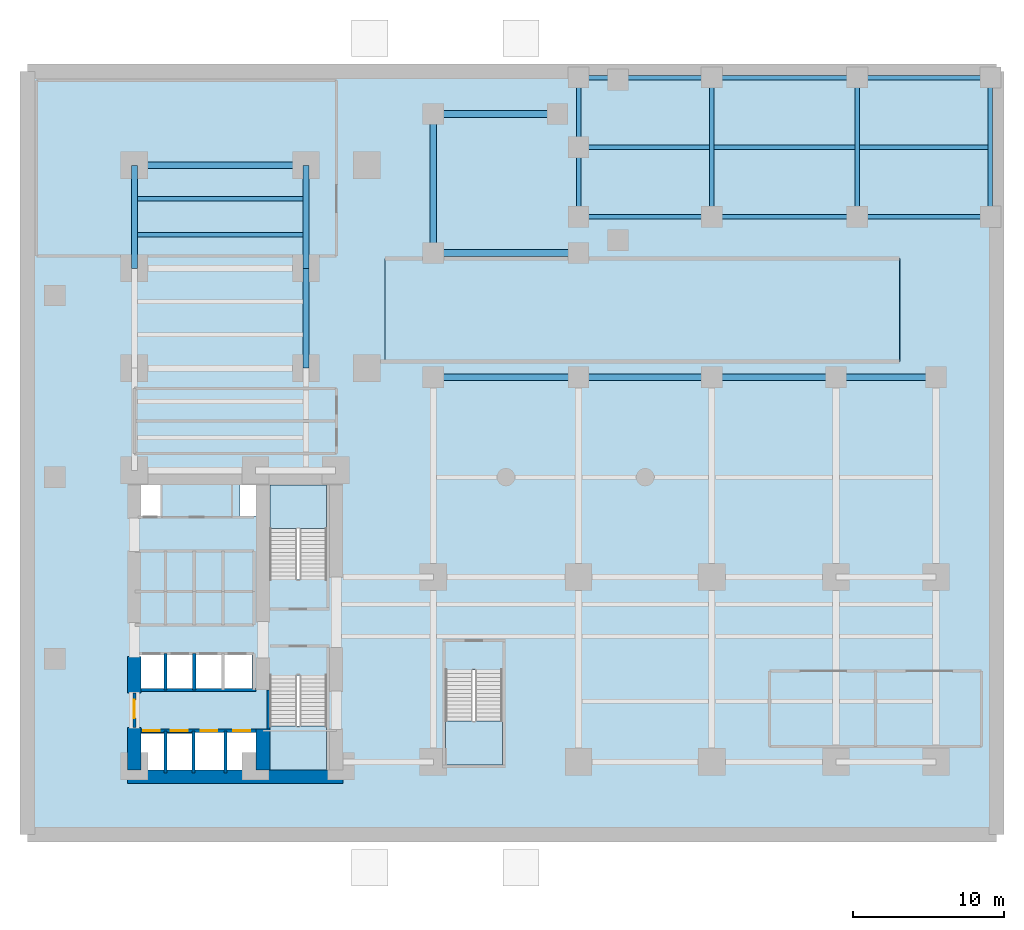
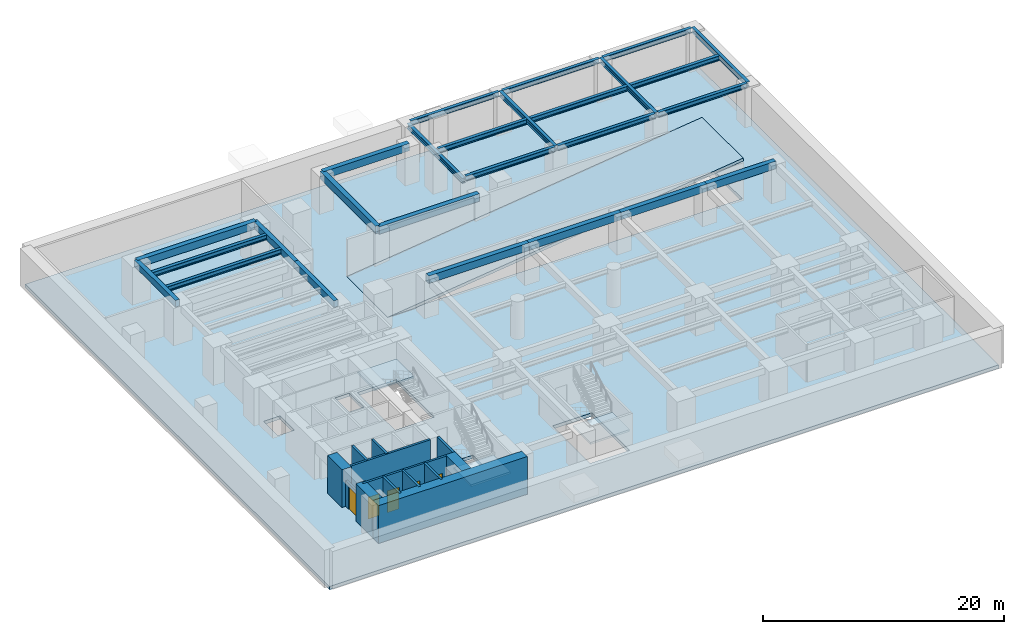
# One storey, part 2 of 5: 26 beams, 13 walls, 5 doors, 5 slabs, 5 openings, 3 elements without a shape of their own.
"""IFC4 building model written with IfcOpenShell, lengths in metres."""

from ifc_helpers import new_model, si_unit, direction, frame, frame_2d, origin, origin_2d, place, context, subcontext, project, spatial, polyline, rectangle, i_section, outline, extrude, material, layer, layer_set, material_profile, profile_set, type_object, element, fill, aggregate, save


model = new_model("IFC4")

# Units and contexts
model_context = context("Model", 3, precision=1e-05, world=origin(), true_north=direction((0.0, 1.0)))
body_context = subcontext(model_context, "Body", "Model", "MODEL_VIEW")
ifc_project = project(units=[si_unit("LENGTHUNIT", "METRE"), si_unit("AREAUNIT", "SQUARE_METRE"), si_unit("VOLUMEUNIT", "CUBIC_METRE"), si_unit("PLANEANGLEUNIT", "RADIAN"), si_unit("MASSUNIT", "GRAM", prefix="KILO")], contexts=[model_context])

# Site, building, storey
site_placement = place(None, origin())
site = spatial("IfcSite", under=ifc_project, at=site_placement, CompositionType="ELEMENT")
building_placement = place(site_placement, origin())
building = spatial("IfcBuilding", under=site, at=building_placement, Name="Kolvaren Waterfront Exchange", CompositionType="ELEMENT")
storey_placement = place(building_placement, frame((0.0, 0.0, -4.199951171875)))
storey = spatial("IfcBuildingStorey", under=building, at=storey_placement, Name="B01", CompositionType="ELEMENT", Elevation=-4.199951171875)

# Beams
ifc_material_1 = material(Name="Steel S355", Category="steel")
ifc_material_profile_1 = material_profile(ifc_material_1, i_section(OverallWidth=0.300048828125, OverallDepth=0.5, WebThickness=0.014404296875, FlangeThickness=0.028076171875, FilletRadius=0.027099609375, at=origin_2d()), Name="HEB500")
ifc_profile_set_1 = profile_set([ifc_material_profile_1], Name="Steel S355")
beam_type_1 = type_object("IfcBeamType", Name="STR-BM-HEB500", PredefinedType="BEAM", material=ifc_profile_set_1)
for number, where, z_axis, x_axis, name in (
    (1, (36.800048828125, 41.199951171875, 3.570068359375), (0.0, 1.0, 0.0), (-1.0, 0.0, 0.0), "Waterfront promenade N-S primary girder 1"),
    (2, (45.60009765625, 41.199951171875, 3.77001953125), (0.0, 1.0, 0.0), (-1.0, 0.0, 0.0), "Waterfront promenade N-S primary girder 2"),
    (3, (55.199951171875, 41.199951171875, 3.77001953125), (0.0, 1.0, 0.0), (-1.0, 0.0, 0.0), "Waterfront promenade N-S primary girder 3"),
    (4, (64.0, 41.199951171875, 3.77001953125), (0.0, 1.0, 0.0), (-1.0, 0.0, 0.0), "Waterfront promenade N-S primary girder 4"),
):
    element("IfcBeam", number, at=place(storey_placement, frame(where, z_axis=z_axis, x_axis=x_axis)), inside=storey, type_object=beam_type_1, Name=name, PredefinedType="BEAM", context=body_context, shape_type="SweptSolid", body=[
        extrude(i_section(OverallWidth=0.300048828125, OverallDepth=0.5, WebThickness=0.014404296875, FlangeThickness=0.028076171875, FilletRadius=0.027099609375, at=origin_2d()), origin(), (0.0, 0.0, 1.0), 9.199951171875),
    ])
beam_1_placement = place(storey_placement, frame((36.951904296875, 41.199951171875, 3.77001953125), z_axis=(1.0, 0.0, 0.0), x_axis=(0.0, 1.0, 0.0)))
element("IfcBeam", 5, at=beam_1_placement, inside=storey, type_object=beam_type_1, Name="Waterfront promenade E-W support beam 1", PredefinedType="BEAM", context=body_context, shape_type="SweptSolid", body=[
    extrude(i_section(OverallWidth=0.300048828125, OverallDepth=0.5, WebThickness=0.014404296875, FlangeThickness=0.028076171875, FilletRadius=0.027099609375, at=origin_2d()), origin(), (0.0, 0.0, 1.0), 8.49609375),
])
beam_2_placement = place(storey_placement, frame((45.751953125, 41.199951171875, 3.77001953125), z_axis=(1.0, 0.0, 0.0), x_axis=(0.0, 1.0, 0.0)))
element("IfcBeam", 6, at=beam_2_placement, inside=storey, type_object=beam_type_1, Name="Waterfront promenade E-W support beam 2", PredefinedType="BEAM", context=body_context, shape_type="SweptSolid", body=[
    extrude(i_section(OverallWidth=0.300048828125, OverallDepth=0.5, WebThickness=0.014404296875, FlangeThickness=0.028076171875, FilletRadius=0.027099609375, at=origin_2d()), origin(), (0.0, 0.0, 1.0), 9.296142578125),
])
beam_3_placement = place(storey_placement, frame((55.35205078125, 41.199951171875, 3.77001953125), z_axis=(1.0, 0.0, 0.0), x_axis=(0.0, 1.0, 0.0)))
element("IfcBeam", 7, at=beam_3_placement, inside=storey, type_object=beam_type_1, Name="Waterfront promenade E-W support beam 3", PredefinedType="BEAM", context=body_context, shape_type="SweptSolid", body=[
    extrude(i_section(OverallWidth=0.300048828125, OverallDepth=0.5, WebThickness=0.014404296875, FlangeThickness=0.028076171875, FilletRadius=0.027099609375, at=origin_2d()), origin(), (0.0, 0.0, 1.0), 8.495849609375),
])
beam_4_placement = place(storey_placement, frame((36.951904296875, 45.800048828125, 3.77001953125), z_axis=(1.0, 0.0, 0.0), x_axis=(0.0, 1.0, 0.0)))
element("IfcBeam", 8, at=beam_4_placement, inside=storey, type_object=beam_type_1, Name="Waterfront promenade E-W support beam 4", PredefinedType="BEAM", context=body_context, shape_type="SweptSolid", body=[
    extrude(i_section(OverallWidth=0.300048828125, OverallDepth=0.5, WebThickness=0.014404296875, FlangeThickness=0.028076171875, FilletRadius=0.027099609375, at=origin_2d()), origin(), (0.0, 0.0, 1.0), 8.49609375),
])
beam_5_placement = place(storey_placement, frame((45.751953125, 45.800048828125, 3.77001953125), z_axis=(1.0, 0.0, 0.0), x_axis=(0.0, 1.0, 0.0)))
element("IfcBeam", 9, at=beam_5_placement, inside=storey, type_object=beam_type_1, Name="Waterfront promenade E-W support beam 5", PredefinedType="BEAM", context=body_context, shape_type="SweptSolid", body=[
    extrude(i_section(OverallWidth=0.300048828125, OverallDepth=0.5, WebThickness=0.014404296875, FlangeThickness=0.028076171875, FilletRadius=0.027099609375, at=origin_2d()), origin(), (0.0, 0.0, 1.0), 9.296142578125),
])
beam_6_placement = place(storey_placement, frame((55.35205078125, 45.800048828125, 3.77001953125), z_axis=(1.0, 0.0, 0.0), x_axis=(0.0, 1.0, 0.0)))
element("IfcBeam", 10, at=beam_6_placement, inside=storey, type_object=beam_type_1, Name="Waterfront promenade E-W support beam 6", PredefinedType="BEAM", context=body_context, shape_type="SweptSolid", body=[
    extrude(i_section(OverallWidth=0.300048828125, OverallDepth=0.5, WebThickness=0.014404296875, FlangeThickness=0.028076171875, FilletRadius=0.027099609375, at=origin_2d()), origin(), (0.0, 0.0, 1.0), 8.495849609375),
])
beam_7_placement = place(storey_placement, frame((36.951904296875, 50.39990234375, 3.77001953125), z_axis=(1.0, 0.0, 0.0), x_axis=(0.0, 1.0, 0.0)))
element("IfcBeam", 11, at=beam_7_placement, inside=storey, type_object=beam_type_1, Name="Waterfront promenade E-W support beam 7", PredefinedType="BEAM", context=body_context, shape_type="SweptSolid", body=[
    extrude(i_section(OverallWidth=0.300048828125, OverallDepth=0.5, WebThickness=0.014404296875, FlangeThickness=0.028076171875, FilletRadius=0.027099609375, at=origin_2d()), origin(), (0.0, 0.0, 1.0), 8.49609375),
])
beam_8_placement = place(storey_placement, frame((45.751953125, 50.39990234375, 3.77001953125), z_axis=(1.0, 0.0, 0.0), x_axis=(0.0, 1.0, 0.0)))
element("IfcBeam", 12, at=beam_8_placement, inside=storey, type_object=beam_type_1, Name="Waterfront promenade E-W support beam 8", PredefinedType="BEAM", context=body_context, shape_type="SweptSolid", body=[
    extrude(i_section(OverallWidth=0.300048828125, OverallDepth=0.5, WebThickness=0.014404296875, FlangeThickness=0.028076171875, FilletRadius=0.027099609375, at=origin_2d()), origin(), (0.0, 0.0, 1.0), 9.296142578125),
])
beam_9_placement = place(storey_placement, frame((55.35205078125, 50.39990234375, 3.77001953125), z_axis=(1.0, 0.0, 0.0), x_axis=(0.0, 1.0, 0.0)))
element("IfcBeam", 13, at=beam_9_placement, inside=storey, type_object=beam_type_1, Name="Waterfront promenade E-W support beam 9", PredefinedType="BEAM", context=body_context, shape_type="SweptSolid", body=[
    extrude(i_section(OverallWidth=0.300048828125, OverallDepth=0.5, WebThickness=0.014404296875, FlangeThickness=0.028076171875, FilletRadius=0.027099609375, at=origin_2d()), origin(), (0.0, 0.0, 1.0), 8.495849609375),
])
for number, where, z_axis, x_axis, name in (
    (14, (7.652099609375, 40.0, 3.570068359375), (1.0, 0.0, 0.0), (0.0, 1.0, 0.0), "B01 north-arm composite joist 5"),
    (15, (7.652099609375, 42.39990234375, 3.570068359375), (1.0, 0.0, 0.0), (0.0, 1.0, 0.0), "B01 north-arm composite joist 6"),
):
    element("IfcBeam", number, at=place(storey_placement, frame(where, z_axis=z_axis, x_axis=x_axis)), inside=storey, type_object=beam_type_1, Name=name, PredefinedType="JOIST", context=body_context, shape_type="SweptSolid", body=[
        extrude(i_section(OverallWidth=0.300048828125, OverallDepth=0.5, WebThickness=0.014404296875, FlangeThickness=0.028076171875, FilletRadius=0.027099609375, at=origin_2d()), origin(), (0.0, 0.0, 1.0), 10.94580078125),
    ])
ifc_material_2 = material(Name="Concrete C40/50", Category="concrete")
ifc_material_profile_2 = material_profile(ifc_material_2, rectangle(XDim=0.39990234375, YDim=0.64990234375, at=origin_2d()), Name="RC-BM-650x400")
ifc_profile_set_2 = profile_set([ifc_material_profile_2], Name="Concrete C40/50")
beam_type_2 = type_object("IfcBeamType", Name="STR-RCBM-650", PredefinedType="SPANDREL", material=ifc_profile_set_2)
beam_10_placement = place(storey_placement, frame((7.449951171875, 37.800048828125, 3.494873046875), z_axis=(0.0, 1.0, 0.0), x_axis=(-1.0, 0.0, 0.0)))
element("IfcBeam", 16, at=beam_10_placement, inside=storey, type_object=beam_type_2, Name="B01 north-arm edge beam 3", PredefinedType="SPANDREL", context=body_context, shape_type="SweptSolid", body=[
    extrude(rectangle(XDim=0.39990234375, YDim=0.64990234375, at=origin_2d()), origin(), (0.0, 0.0, 1.0), 6.800048828125),
])
beam_11_placement = place(storey_placement, frame((18.800048828125, 31.199951171875, 3.494873046875), z_axis=(0.0, 1.0, 0.0), x_axis=(-1.0, 0.0, 0.0)))
element("IfcBeam", 17, at=beam_11_placement, inside=storey, type_object=beam_type_2, Name="B01 north-arm edge beam 2", PredefinedType="SPANDREL", context=body_context, shape_type="SweptSolid", body=[
    extrude(rectangle(XDim=0.39990234375, YDim=0.64990234375, at=origin_2d()), origin(), (0.0, 0.0, 1.0), 6.60009765625),
])
beam_12_placement = place(storey_placement, frame((18.800048828125, 37.800048828125, 3.494873046875), z_axis=(0.0, 1.0, 0.0), x_axis=(-1.0, 0.0, 0.0)))
element("IfcBeam", 18, at=beam_12_placement, inside=storey, type_object=beam_type_2, Name="B01 north-arm edge beam 3", PredefinedType="SPANDREL", context=body_context, shape_type="SweptSolid", body=[
    extrude(rectangle(XDim=0.39990234375, YDim=0.64990234375, at=origin_2d()), origin(), (0.0, 0.0, 1.0), 6.800048828125),
])
ifc_material_profile_3 = material_profile(ifc_material_2, rectangle(XDim=0.449951171875, YDim=0.75, at=origin_2d()), Name="RC-BM-750x450")
ifc_profile_set_3 = profile_set([ifc_material_profile_3], Name="Concrete C40/50")
beam_type_3 = type_object("IfcBeamType", Name="STR-RCBM-750", PredefinedType="BEAM", material=ifc_profile_set_3)
beam_13_placement = place(storey_placement, frame((7.449951171875, 44.60009765625, 3.445068359375), z_axis=(1.0, 0.0, 0.0), x_axis=(0.0, 1.0, 0.0)))
element("IfcBeam", 19, at=beam_13_placement, inside=storey, type_object=beam_type_3, Name="B01 north-arm girder 4", PredefinedType="BEAM", context=body_context, shape_type="SweptSolid", body=[
    extrude(rectangle(XDim=0.449951171875, YDim=0.75, at=origin_2d()), origin(), (0.0, 0.0, 1.0), 11.35009765625),
])
beam_14_placement = place(storey_placement, frame((27.199951171875, 30.60009765625, 3.445068359375), z_axis=(1.0, 0.0, 0.0), x_axis=(0.0, 1.0, 0.0)))
element("IfcBeam", 20, at=beam_14_placement, inside=storey, type_object=beam_type_3, Name="B01 podium longitudinal beam 1", PredefinedType="BEAM", context=body_context, shape_type="SweptSolid", body=[
    extrude(rectangle(XDim=0.449951171875, YDim=0.75, at=origin_2d()), origin(), (0.0, 0.0, 1.0), 9.60009765625),
])
beam_15_placement = place(storey_placement, frame((36.800048828125, 30.60009765625, 3.445068359375), z_axis=(1.0, 0.0, 0.0), x_axis=(0.0, 1.0, 0.0)))
element("IfcBeam", 21, at=beam_15_placement, inside=storey, type_object=beam_type_3, Name="B01 podium longitudinal beam 2", PredefinedType="BEAM", context=body_context, shape_type="SweptSolid", body=[
    extrude(rectangle(XDim=0.449951171875, YDim=0.75, at=origin_2d()), origin(), (0.0, 0.0, 1.0), 8.800048828125),
])
beam_16_placement = place(storey_placement, frame((45.60009765625, 30.60009765625, 3.445068359375), z_axis=(1.0, 0.0, 0.0), x_axis=(0.0, 1.0, 0.0)))
element("IfcBeam", 22, at=beam_16_placement, inside=storey, type_object=beam_type_3, Name="B01 podium longitudinal beam 3", PredefinedType="BEAM", context=body_context, shape_type="SweptSolid", body=[
    extrude(rectangle(XDim=0.449951171875, YDim=0.75, at=origin_2d()), origin(), (0.0, 0.0, 1.0), 8.199951171875),
])
beam_17_placement = place(storey_placement, frame((53.800048828125, 30.60009765625, 3.445068359375), z_axis=(1.0, 0.0, 0.0), x_axis=(0.0, 1.0, 0.0)))
element("IfcBeam", 23, at=beam_17_placement, inside=storey, type_object=beam_type_3, Name="B01 podium longitudinal beam 4", PredefinedType="BEAM", context=body_context, shape_type="SweptSolid", body=[
    extrude(rectangle(XDim=0.449951171875, YDim=0.75, at=origin_2d()), origin(), (0.0, 0.0, 1.0), 6.599853515625),
])
beam_18_placement = place(storey_placement, frame((27.199951171875, 38.800048828125, 3.445068359375), z_axis=(1.0, 0.0, 0.0), x_axis=(0.0, 1.0, 0.0)))
element("IfcBeam", 24, at=beam_18_placement, inside=storey, type_object=beam_type_3, Name="B01 podium north girder 1", PredefinedType="BEAM", context=body_context, shape_type="SweptSolid", body=[
    extrude(rectangle(XDim=0.449951171875, YDim=0.75, at=origin_2d()), origin(), (0.0, 0.0, 1.0), 9.60009765625),
])
beam_19_placement = place(storey_placement, frame((27.199951171875, 48.0, 3.445068359375), z_axis=(1.0, 0.0, 0.0), x_axis=(0.0, 1.0, 0.0)))
element("IfcBeam", 25, at=beam_19_placement, inside=storey, type_object=beam_type_3, Name="B01 podium north girder 2", PredefinedType="BEAM", context=body_context, shape_type="SweptSolid", body=[
    extrude(rectangle(XDim=0.449951171875, YDim=0.75, at=origin_2d()), origin(), (0.0, 0.0, 1.0), 8.199951171875),
])
beam_20_placement = place(storey_placement, frame((27.199951171875, 38.800048828125, 3.445068359375), z_axis=(0.0, 1.0, 0.0), x_axis=(-1.0, 0.0, 0.0)))
element("IfcBeam", 26, at=beam_20_placement, inside=storey, type_object=beam_type_3, Name="B01 podium west-link girder", PredefinedType="BEAM", context=body_context, shape_type="SweptSolid", body=[
    extrude(rectangle(XDim=0.449951171875, YDim=0.75, at=origin_2d()), origin(), (0.0, 0.0, 1.0), 9.199951171875),
])

# Stair, slab
stair_type = type_object("IfcStairType", Name="ARC-STAIR-4200", PredefinedType="HALF_TURN_STAIR", material=ifc_material_2)
stair_1_placement = place(storey_placement, origin())
stair_1 = element("IfcStair", 27, at=stair_1_placement, inside=storey, type_object=stair_type, Name="B01 Smoke-proof exit stair ST1", PredefinedType="HALF_TURN_STAIR")
ifc_layer_1 = layer(ifc_material_2, 0.199951171875, Name="Concrete C40/50")
ifc_layer_set_1 = layer_set([ifc_layer_1], Name="Concrete C40/50")
slab_type_1 = type_object("IfcSlabType", Name="STR-LANDING-200", PredefinedType="LANDING", material=ifc_layer_set_1)
slab_1_placement = place(storey_placement, frame((0.0, 0.0, 1.89990234375)))
slab_1 = element("IfcSlab", 28, at=slab_1_placement, type_object=slab_type_1, Name="ST1 landing 1", PredefinedType="LANDING", context=body_context, shape_type="SweptSolid", body=[
    extrude(outline(polyline([(16.39990234375, 7.550048828125), (16.39990234375, 4.64990234375), (20.159912109375, 4.64990234375), (20.159912109375, 7.550048828125), (16.39990234375, 7.550048828125)])), origin(), (0.0, 0.0, 1.0), 0.199951171875),
])
aggregate(stair_1, [slab_1])

stair_2_placement = place(storey_placement, origin())
stair_2 = element("IfcStair", 29, at=stair_2_placement, inside=storey, type_object=stair_type, Name="B01 Smoke-proof exit stair ST2", PredefinedType="HALF_TURN_STAIR")
slab_2_placement = place(storey_placement, frame((0.0, 0.0, 1.89990234375)))
slab_2 = element("IfcSlab", 30, at=slab_2_placement, type_object=slab_type_1, Name="ST2 landing 1", PredefinedType="LANDING", context=body_context, shape_type="SweptSolid", body=[
    extrude(outline(polyline([(20.159912109375, 20.60009765625), (20.159912109375, 23.5), (16.39990234375, 23.5), (16.39990234375, 20.60009765625), (20.159912109375, 20.60009765625)])), origin(), (0.0, 0.0, 1.0), 0.199951171875),
])
aggregate(stair_2, [slab_2])

stair_3_placement = place(storey_placement, origin())
stair_3 = element("IfcStair", 31, at=stair_3_placement, inside=storey, type_object=stair_type, Name="B01 Exit stair ST3", PredefinedType="HALF_TURN_STAIR")
slab_3_placement = place(storey_placement, frame((0.0, 0.0, 1.89990234375)))
slab_3 = element("IfcSlab", 32, at=slab_3_placement, type_object=slab_type_1, Name="ST3 landing 1", PredefinedType="LANDING", context=body_context, shape_type="SweptSolid", body=[
    extrude(outline(polyline([(28.0, 7.89990234375), (28.0, 5.0), (31.760009765625, 5.0), (31.760009765625, 7.89990234375), (28.0, 7.89990234375)])), origin(), (0.0, 0.0, 1.0), 0.199951171875),
])
aggregate(stair_3, [slab_3])

# Slabs
ifc_layer_2 = layer(ifc_material_2, 0.300048828125, Name="Concrete C40/50")
ifc_layer_set_2 = layer_set([ifc_layer_2], Name="Concrete C40/50")
slab_type_2 = type_object("IfcSlabType", Name="STR-RAMP-SLAB-300", PredefinedType="FLOOR", material=ifc_layer_set_2)
slab_4_placement = place(storey_placement, frame((24.0, 31.64990234375, 0.0), z_axis=(-0.122596159614, 0.0, 0.992456639682), x_axis=(0.992456639682, 0.0, 0.122596159614)))
element("IfcSlab", 33, at=slab_4_placement, inside=storey, type_object=slab_type_2, Name="B01 two-way vehicle ramp VS30 structural concrete slab", PredefinedType="FLOOR", context=body_context, shape_type="SweptSolid", body=[
    extrude(outline(polyline([(0.0, 0.0), (34.258423633409265, 0.0), (34.258423633409265, 6.800048828125), (0.0, 6.800048828125), (0.0, 0.0)])), origin(), (0.0, 0.0, -1.0), 0.300048828125),
])
ifc_layer_3 = layer(ifc_material_2, 0.340087890625, Name="Concrete C40/50")
ifc_layer_set_3 = layer_set([ifc_layer_3], Name="Concrete C40/50")
slab_type_3 = type_object("IfcSlabType", Name="STR-SLAB-340", PredefinedType="FLOOR", material=ifc_layer_set_3)
slab_5_placement = place(storey_placement, frame((0.0, 0.0, -0.340087890625)))
element("IfcSlab", 34, at=slab_5_placement, inside=storey, type_object=slab_type_3, Name="B01 structural floor slab", PredefinedType="FLOOR", context=body_context, shape_type="SweptSolid", body=[
    extrude(outline(polyline([(0.39990234375, 0.39990234375), (64.39990234375, 0.39990234375), (64.39990234375, 50.800048828125), (0.39990234375, 50.800048828125), (0.39990234375, 0.39990234375)]), holes=[polyline([(11.320068359375, 7.260009765625), (15.610107421875, 7.260009765625), (15.610107421875, 4.5400390625), (7.719970703125, 4.5400390625), (7.719970703125, 7.06005859375), (11.320068359375, 7.06005859375), (11.320068359375, 7.260009765625)]), polyline([(20.159912109375, 10.89990234375), (20.159912109375, 4.64990234375), (16.39990234375, 4.64990234375), (16.39990234375, 10.89990234375), (20.159912109375, 10.89990234375)]), polyline([(31.760009765625, 11.25), (31.760009765625, 5.0), (28.0, 5.0), (28.0, 11.25), (31.760009765625, 11.25)]), polyline([(15.2099609375, 10.0400390625), (7.6201171875, 10.0400390625), (7.6201171875, 12.360107421875), (15.2099609375, 12.360107421875), (15.2099609375, 10.0400390625)]), polyline([(16.39990234375, 17.25), (16.39990234375, 23.5), (20.159912109375, 23.5), (20.159912109375, 17.25), (16.39990234375, 17.25)]), polyline([(7.60009765625, 23.780029296875), (9.179931640625, 23.780029296875), (9.179931640625, 21.419921875), (7.60009765625, 21.419921875), (7.60009765625, 23.780029296875)]), polyline([(14.419921875, 23.780029296875), (15.800048828125, 23.780029296875), (15.800048828125, 21.419921875), (14.419921875, 21.419921875), (14.419921875, 23.780029296875)]), polyline([(24.0, 38.300048828125), (58.0, 38.300048828125), (58.0, 31.800048828125), (24.0, 31.800048828125), (24.0, 38.300048828125)])]), origin(), (0.0, 0.0, 1.0), 0.340087890625),
])

# Wall
ifc_material_3 = material(Name="Precast concrete C40/50", Category="concrete")
ifc_layer_4 = layer(ifc_material_3, 0.199951171875, Name="Precast concrete C40/50")
ifc_layer_set_4 = layer_set([ifc_layer_4], Name="Precast concrete C40/50")
wall_type_1 = type_object("IfcWallType", Name="ARC-FIRE-200", PredefinedType="PARTITIONING", material=ifc_layer_set_4)
wall_1_placement = place(storey_placement, frame((7.89990234375, 9.949951171875, 0.0), z_axis=(0.0, 0.0, 1.0), x_axis=(1.0, 0.0, 0.0)))
element("IfcWall", 35, at=wall_1_placement, inside=storey, type_object=wall_type_1, Name="B01 interior wall PW-B01-FF-N", PredefinedType="PARTITIONING", context=body_context, shape_type="SweptSolid", body=[
    extrude(rectangle(XDim=7.60009765625, YDim=0.199951171875, at=frame_2d((3.800048828125, 0.0))), origin(), (0.0, 0.0, 1.0), 3.820068359375),
])

# Wall, opening, door
wall_2_placement = place(storey_placement, frame((7.449951171875, 7.449951171875, 0.0), z_axis=(0.0, 0.0, 1.0), x_axis=(0.0, 1.0, 0.0)))
wall_2 = element("IfcWall", 36, at=wall_2_placement, inside=storey, type_object=wall_type_1, Name="B01 interior wall PW-B01-FF-W-DOOR", PredefinedType="PARTITIONING", context=body_context, shape_type="SweptSolid", body=[
    extrude(rectangle(XDim=2.300048828125, YDim=0.199951171875, at=frame_2d((1.14990234375, 0.0))), origin(), (0.0, 0.0, 1.0), 2.599853515625),
])
opening_1_placement = place(wall_2_placement, frame((0.63330078125, 0.0, 0.0)))
opening_1 = element("IfcOpeningElement", 37, at=opening_1_placement, cuts=wall_2, Name="Opening FD3", PredefinedType="OPENING", context=body_context, shape_type="SweptSolid", body=[
    extrude(rectangle(XDim=1.199951171875, YDim=2.25, at=frame_2d((0.60009765625, 1.125))), frame((0.0, 0.10986328125, 0.0), z_axis=(0.0, -1.0, 0.0), x_axis=(1.0, 0.0, 0.0)), (0.0, 0.0, 1.0), 0.219970703125),
])
ifc_material_4 = material(Name="Pressed steel fire door", Category="steel")
door_type_1 = type_object("IfcDoorType", Name="ARC-FD-1200", OperationType="NOTDEFINED", PredefinedType="DOOR", material=ifc_material_4)
door_1_placement = place(opening_1_placement, frame((1.199951171875, 0.0, 0.0), z_axis=(0.0, 0.0, 1.0), x_axis=(-1.0, 0.0, 0.0)))
door_1 = element("IfcDoor", 38, at=door_1_placement, inside=storey, type_object=door_type_1, Name="B01 door DR-B01-FF-OUT (FD3)", OperationType="SINGLE_SWING_RIGHT", OverallHeight=2.25, OverallWidth=1.199951171875, PredefinedType="DOOR", context=body_context, shape_type="SweptSolid", body=[
    extrude(rectangle(XDim=1.199951171875, YDim=2.25, at=frame_2d((0.60009765625, 1.125))), frame((0.0, 0.02490234375, 0.0), z_axis=(0.0, -1.0, 0.0), x_axis=(1.0, 0.0, 0.0)), (0.0, 0.0, 1.0), 0.050048828125),
])
fill(opening_1, door_1)

# Wall
ifc_layer_5 = layer(ifc_material_2, 0.199951171875, Name="Concrete C40/50")
ifc_layer_set_5 = layer_set([ifc_layer_5], Name="Concrete C40/50")
wall_type_2 = type_object("IfcWallType", Name="ARC-SHAFT-200", PredefinedType="PARTITIONING", material=ifc_layer_set_5)
wall_3_placement = place(storey_placement, frame((16.300048828125, 7.360107421875, 0.0), z_axis=(0.0, 0.0, 1.0), x_axis=(0.0, 1.0, 0.0)))
element("IfcWall", 39, at=wall_3_placement, inside=storey, type_object=wall_type_2, Name="B01 structural stairwell wall PW-B01-ST1-W", PredefinedType="SHEAR", context=body_context, shape_type="SweptSolid", body=[
    extrude(rectangle(XDim=2.579833984375, YDim=0.199951171875, at=frame_2d((1.2900390625, 0.0))), origin(), (0.0, 0.0, 1.0), 3.820068359375),
])

# Wall, openings, doors
wall_4_placement = place(storey_placement, frame((7.5, 7.25, 0.0), z_axis=(0.0, 0.0, 1.0), x_axis=(1.0, 0.0, 0.0)))
wall_4 = element("IfcWall", 40, at=wall_4_placement, inside=storey, type_object=wall_type_2, Name="B01 interior wall PW-B01-FF-S", PredefinedType="PARTITIONING", context=body_context, shape_type="SweptSolid", body=[
    extrude(rectangle(XDim=8.35009765625, YDim=0.199951171875, at=frame_2d((4.175048828125, 0.0))), origin(), (0.0, 0.0, 1.0), 3.820068359375),
])
opening_2_placement = place(wall_4_placement, frame((0.530029296875, 0.0, 0.0)))
opening_2 = element("IfcOpeningElement", 41, at=opening_2_placement, cuts=wall_4, Name="Opening LD1", PredefinedType="OPENING", context=body_context, shape_type="SweptSolid", body=[
    extrude(rectangle(XDim=1.10009765625, YDim=2.199951171875, at=frame_2d((0.550048828125, 1.10009765625))), frame((0.0, 0.10986328125, 0.0), z_axis=(0.0, -1.0, 0.0), x_axis=(1.0, 0.0, 0.0)), (0.0, 0.0, 1.0), 0.219970703125),
])
opening_3_placement = place(wall_4_placement, frame((2.3701171875, 0.0, 0.0)))
opening_3 = element("IfcOpeningElement", 42, at=opening_3_placement, cuts=wall_4, Name="Opening LD1", PredefinedType="OPENING", context=body_context, shape_type="SweptSolid", body=[
    extrude(rectangle(XDim=1.10009765625, YDim=2.199951171875, at=frame_2d((0.550048828125, 1.10009765625))), frame((0.0, 0.10986328125, 0.0), z_axis=(0.0, -1.0, 0.0), x_axis=(1.0, 0.0, 0.0)), (0.0, 0.0, 1.0), 0.219970703125),
])
opening_4_placement = place(wall_4_placement, frame((4.330078125, 0.0, 0.0)))
opening_4 = element("IfcOpeningElement", 43, at=opening_4_placement, cuts=wall_4, Name="Opening LD1", PredefinedType="OPENING", context=body_context, shape_type="SweptSolid", body=[
    extrude(rectangle(XDim=1.10009765625, YDim=2.199951171875, at=frame_2d((0.550048828125, 1.10009765625))), frame((0.0, 0.10986328125, 0.0), z_axis=(0.0, -1.0, 0.0), x_axis=(1.0, 0.0, 0.0)), (0.0, 0.0, 1.0), 0.219970703125),
])
opening_5_placement = place(wall_4_placement, frame((6.5, 0.0, 0.0)))
opening_5 = element("IfcOpeningElement", 44, at=opening_5_placement, cuts=wall_4, Name="Opening LD1", PredefinedType="OPENING", context=body_context, shape_type="SweptSolid", body=[
    extrude(rectangle(XDim=1.10009765625, YDim=2.199951171875, at=frame_2d((0.550048828125, 1.10009765625))), frame((0.0, 0.10986328125, 0.0), z_axis=(0.0, -1.0, 0.0), x_axis=(1.0, 0.0, 0.0)), (0.0, 0.0, 1.0), 0.219970703125),
])
ifc_material_5 = material(Name="Stainless steel sliding landing door", Category="steel")
door_type_2 = type_object("IfcDoorType", Name="ARC-LD-FF", OperationType="SLIDING_TO_LEFT", PredefinedType="DOOR", material=ifc_material_5)
door_2_placement = place(opening_2_placement, origin())
door_2 = element("IfcDoor", 45, at=door_2_placement, inside=storey, type_object=door_type_2, Name="B01 door LD-B01-FFL1 (LD1)", OperationType="SLIDING_TO_LEFT", OverallHeight=2.199951171875, OverallWidth=1.10009765625, PredefinedType="DOOR", context=body_context, shape_type="SweptSolid", body=[
    extrude(rectangle(XDim=1.10009765625, YDim=2.199951171875, at=frame_2d((0.550048828125, 1.10009765625))), frame((0.0, 0.02490234375, 0.0), z_axis=(0.0, -1.0, 0.0), x_axis=(1.0, 0.0, 0.0)), (0.0, 0.0, 1.0), 0.050048828125),
])
fill(opening_2, door_2)
door_3_placement = place(opening_3_placement, origin())
door_3 = element("IfcDoor", 46, at=door_3_placement, inside=storey, type_object=door_type_2, Name="B01 door LD-B01-FFL2 (LD1)", OperationType="SLIDING_TO_LEFT", OverallHeight=2.199951171875, OverallWidth=1.10009765625, PredefinedType="DOOR", context=body_context, shape_type="SweptSolid", body=[
    extrude(rectangle(XDim=1.10009765625, YDim=2.199951171875, at=frame_2d((0.550048828125, 1.10009765625))), frame((0.0, 0.02490234375, 0.0), z_axis=(0.0, -1.0, 0.0), x_axis=(1.0, 0.0, 0.0)), (0.0, 0.0, 1.0), 0.050048828125),
])
fill(opening_3, door_3)
door_4_placement = place(opening_4_placement, origin())
door_4 = element("IfcDoor", 47, at=door_4_placement, inside=storey, type_object=door_type_2, Name="B01 door LD-B01-GL1 (LD1)", OperationType="SLIDING_TO_LEFT", OverallHeight=2.199951171875, OverallWidth=1.10009765625, PredefinedType="DOOR", context=body_context, shape_type="SweptSolid", body=[
    extrude(rectangle(XDim=1.10009765625, YDim=2.199951171875, at=frame_2d((0.550048828125, 1.10009765625))), frame((0.0, 0.02490234375, 0.0), z_axis=(0.0, -1.0, 0.0), x_axis=(1.0, 0.0, 0.0)), (0.0, 0.0, 1.0), 0.050048828125),
])
fill(opening_4, door_4)
door_5_placement = place(opening_5_placement, origin())
door_5 = element("IfcDoor", 48, at=door_5_placement, inside=storey, type_object=door_type_2, Name="B01 door LD-B01-GL2 (LD1)", OperationType="SLIDING_TO_LEFT", OverallHeight=2.199951171875, OverallWidth=1.10009765625, PredefinedType="DOOR", context=body_context, shape_type="SweptSolid", body=[
    extrude(rectangle(XDim=1.10009765625, YDim=2.199951171875, at=frame_2d((0.550048828125, 1.10009765625))), frame((0.0, 0.02490234375, 0.0), z_axis=(0.0, -1.0, 0.0), x_axis=(1.0, 0.0, 0.0)), (0.0, 0.0, 1.0), 0.050048828125),
])
fill(opening_5, door_5)

# Walls
for number, where, z_axis, x_axis, name in (
    (49, (9.5, 4.449951171875, 0.0), (0.0, 0.0, 1.0), (0.0, 1.0, 0.0), "B01 interior wall PW-B01-SH1-DIV-95"),
    (50, (11.360107421875, 4.449951171875, 0.0), (0.0, 0.0, 1.0), (0.0, 1.0, 0.0), "B01 interior wall PW-B01-SH1-DIV-113"),
    (51, (13.4599609375, 4.449951171875, 0.0), (0.0, 0.0, 1.0), (0.0, 1.0, 0.0), "B01 interior wall PW-B01-SH1-DIV-134"),
):
    element("IfcWall", number, at=place(storey_placement, frame(where, z_axis=z_axis, x_axis=x_axis)), inside=storey, type_object=wall_type_2, Name=name, PredefinedType="PARTITIONING", context=body_context, shape_type="SweptSolid", body=[
        extrude(rectangle(XDim=2.800048828125, YDim=0.199951171875, at=frame_2d((1.39990234375, 0.0))), origin(), (0.0, 0.0, 1.0), 3.820068359375),
    ])
for number, where, z_axis, x_axis, name in (
    (52, (9.52001953125, 9.949951171875, 0.0), (0.0, 0.0, 1.0), (0.0, 1.0, 0.0), "B01 interior wall PW-B01-SH2-DIV-95"),
    (53, (11.409912109375, 9.949951171875, 0.0), (0.0, 0.0, 1.0), (0.0, 1.0, 0.0), "B01 interior wall PW-B01-SH2-DIV-114"),
):
    element("IfcWall", number, at=place(storey_placement, frame(where, z_axis=z_axis, x_axis=x_axis)), inside=storey, type_object=wall_type_2, Name=name, PredefinedType="PARTITIONING", context=body_context, shape_type="SweptSolid", body=[
        extrude(rectangle(XDim=2.41015625, YDim=0.199951171875, at=frame_2d((1.205078125, 0.0))), origin(), (0.0, 0.0, 1.0), 3.820068359375),
    ])
ifc_material_6 = material(Name="Concrete C70/85", Category="concrete")
ifc_layer_6 = layer(ifc_material_6, 0.89990234375, Name="Concrete C70/85")
ifc_layer_set_6 = layer_set([ifc_layer_6], Name="Concrete C70/85")
wall_type_3 = type_object("IfcWallType", Name="STR-CWALL-900", PredefinedType="SHEAR", material=ifc_layer_set_6)
wall_5_placement = place(storey_placement, frame((7.0, 4.199951171875, 0.0), z_axis=(0.0, 0.0, 1.0), x_axis=(1.0, 0.0, 0.0)))
element("IfcWall", 54, at=wall_5_placement, inside=storey, type_object=wall_type_3, Name="B01 rear-core shear wall S", PredefinedType="SHEAR", context=body_context, shape_type="SweptSolid", body=[
    extrude(rectangle(XDim=14.25, YDim=0.89990234375, at=frame_2d((7.125, 0.0))), origin(), (0.0, 0.0, 1.0), 3.820068359375),
])
wall_6_placement = place(storey_placement, frame((7.449951171875, 4.64990234375, 0.0), z_axis=(0.0, 0.0, 1.0), x_axis=(0.0, 1.0, 0.0)))
element("IfcWall", 55, at=wall_6_placement, inside=storey, type_object=wall_type_3, Name="B01 rear-core shear wall W1", PredefinedType="SHEAR", context=body_context, shape_type="SweptSolid", body=[
    extrude(rectangle(XDim=2.800048828125, YDim=0.89990234375, at=frame_2d((1.39990234375, 0.0))), origin(), (0.0, 0.0, 1.0), 3.820068359375),
])
wall_7_placement = place(storey_placement, frame((7.449951171875, 9.75, 0.0), z_axis=(0.0, 0.0, 1.0), x_axis=(0.0, 1.0, 0.0)))
element("IfcWall", 56, at=wall_7_placement, inside=storey, type_object=wall_type_3, Name="B01 rear-core shear wall W2A", PredefinedType="SHEAR", context=body_context, shape_type="SweptSolid", body=[
    extrude(rectangle(XDim=2.39990234375, YDim=0.89990234375, at=frame_2d((1.199951171875, 0.0))), origin(), (0.0, 0.0, 1.0), 3.820068359375),
])
wall_8_placement = place(storey_placement, frame((15.949951171875, 4.64990234375, 0.0), z_axis=(0.0, 0.0, 1.0), x_axis=(0.0, 1.0, 0.0)))
element("IfcWall", 57, at=wall_8_placement, inside=storey, type_object=wall_type_3, Name="B01 rear-core shear wall M1", PredefinedType="SHEAR", context=body_context, shape_type="SweptSolid", body=[
    extrude(rectangle(XDim=2.7001953125, YDim=0.89990234375, at=frame_2d((1.35009765625, 0.0))), origin(), (0.0, 0.0, 1.0), 3.820068359375),
])

save(model, "model.ifc")
